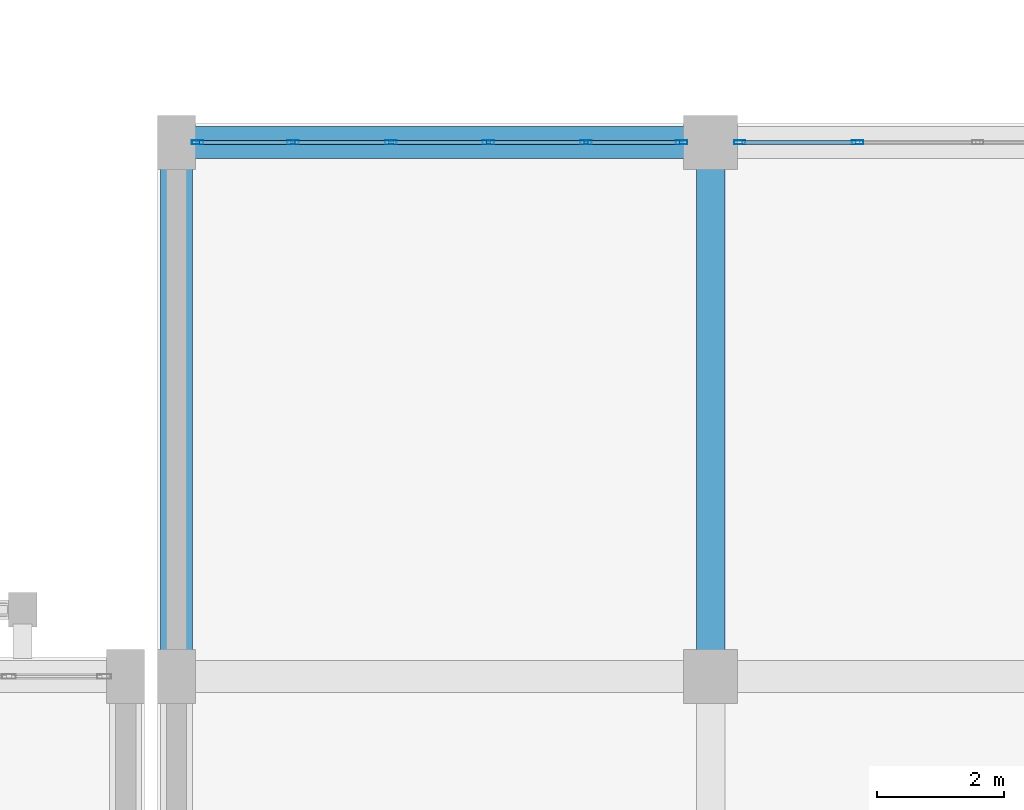
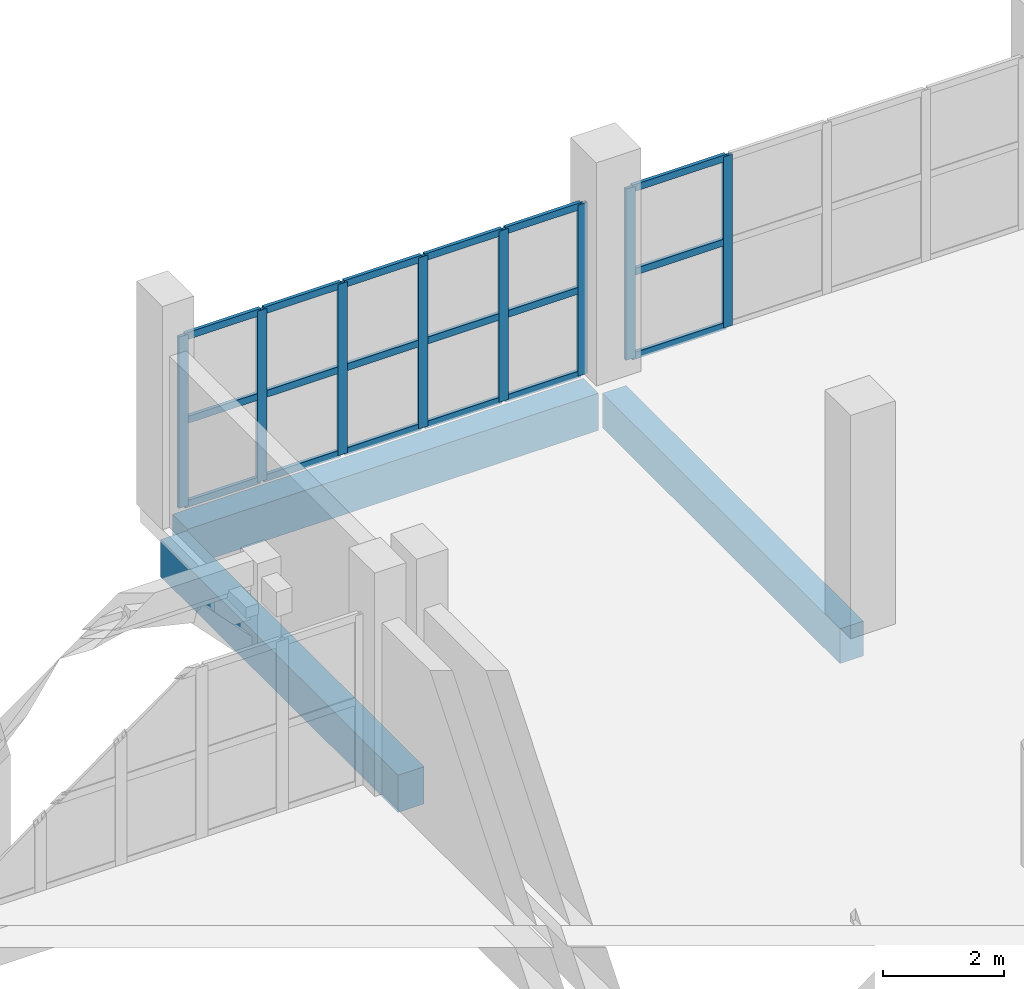
# One storey, part 67 of 137: 26 members, 3 beams, 2 elements without a shape of their own.
"""IFC4 building model written with IfcOpenShell, lengths in metres."""

from ifc_helpers import new_model, si_unit, direction, frame, origin, origin_2d, place, context, subcontext, project, spatial, rectangle, hollow_rectangle, extrude, material, layer, layer_set, material_profile, profile_set, type_object, element, aggregate, save


model = new_model("IFC4")

# Units and contexts
model_context = context("Model", 3, precision=1e-05, world=origin(), true_north=direction((0.0, 1.0)))
body_context = subcontext(model_context, "Body", "Model", "MODEL_VIEW")
ifc_project = project(units=[si_unit("LENGTHUNIT", "METRE"), si_unit("AREAUNIT", "SQUARE_METRE"), si_unit("VOLUMEUNIT", "CUBIC_METRE"), si_unit("PLANEANGLEUNIT", "RADIAN"), si_unit("MASSUNIT", "GRAM", prefix="KILO")], contexts=[model_context])

# Site, building, storey
site_placement = place(None, origin())
site = spatial("IfcSite", under=ifc_project, at=site_placement, CompositionType="ELEMENT")
building_placement = place(site_placement, origin())
building = spatial("IfcBuilding", under=site, at=building_placement, Name="Xazarin Passage Department Store", CompositionType="ELEMENT")
storey_placement = place(building_placement, frame((0.0, 0.0, 5.39990234375)))
storey = spatial("IfcBuildingStorey", under=building, at=storey_placement, Name="L01", CompositionType="ELEMENT", Elevation=5.39990234375)

# Curtain wall, members
ifc_material_1 = material(Name="Bronze anodised aluminium", Category="aluminium")
ifc_layer = layer(ifc_material_1, 0.169921875)
ifc_layer_set = layer_set([ifc_layer], Name="Bronze anodised aluminium")
curtain_wall_type = type_object("IfcCurtainWallType", Name="ARC-CW-ARC2", PredefinedType="NOTDEFINED", material=ifc_layer_set)
curtain_wall_1_placement = place(storey_placement, origin())
curtain_wall_1 = element("IfcCurtainWall", 1, at=curtain_wall_1_placement, inside=storey, type_object=curtain_wall_type, Name="L01 V2N Curtain Wall 110", PredefinedType="NOTDEFINED")
ifc_material_profile_1 = material_profile(ifc_material_1, hollow_rectangle(XDim=0.06494140625, YDim=0.179931640625, WallThickness=0.00390625, at=origin_2d()), Name="ALU 65x180")
ifc_profile_set_1 = profile_set([ifc_material_profile_1], Name="Bronze anodised aluminium")
member_type_1 = type_object("IfcMemberType", Name="ARC-CWM-65x180", PredefinedType="MULLION", material=ifc_profile_set_1)
member_1_placement = place(storey_placement, frame((68.33251953125, 93.199951171875, 0.0), z_axis=(0.0, 0.0, 1.0), x_axis=(0.0, 1.0, 0.0)))
member_1 = element("IfcMember", 2, at=member_1_placement, type_object=member_type_1, Name="CW4 mullion 1", PredefinedType="MULLION", context=body_context, shape_type="SweptSolid", body=[
    extrude(hollow_rectangle(XDim=0.06494140625, YDim=0.179931640625, WallThickness=0.00390625, at=origin_2d()), origin(), (0.0, 0.0, 1.0), 3.4501953125),
])
member_2_placement = place(storey_placement, frame((69.8349609375, 93.199951171875, 0.0), z_axis=(0.0, 0.0, 1.0), x_axis=(0.0, 1.0, 0.0)))
member_2 = element("IfcMember", 3, at=member_2_placement, type_object=member_type_1, Name="CW4 mullion 2", PredefinedType="MULLION", context=body_context, shape_type="SweptSolid", body=[
    extrude(hollow_rectangle(XDim=0.06494140625, YDim=0.179931640625, WallThickness=0.00390625, at=origin_2d()), origin(), (0.0, 0.0, 1.0), 3.4501953125),
])
member_3_placement = place(storey_placement, frame((71.3701171875, 93.199951171875, 0.0), z_axis=(0.0, 0.0, 1.0), x_axis=(0.0, 1.0, 0.0)))
member_3 = element("IfcMember", 4, at=member_3_placement, type_object=member_type_1, Name="CW4 mullion 3", PredefinedType="MULLION", context=body_context, shape_type="SweptSolid", body=[
    extrude(hollow_rectangle(XDim=0.06494140625, YDim=0.179931640625, WallThickness=0.00390625, at=origin_2d()), origin(), (0.0, 0.0, 1.0), 3.4501953125),
])
member_4_placement = place(storey_placement, frame((72.905029296875, 93.199951171875, 0.0), z_axis=(0.0, 0.0, 1.0), x_axis=(0.0, 1.0, 0.0)))
member_4 = element("IfcMember", 5, at=member_4_placement, type_object=member_type_1, Name="CW4 mullion 4", PredefinedType="MULLION", context=body_context, shape_type="SweptSolid", body=[
    extrude(hollow_rectangle(XDim=0.06494140625, YDim=0.179931640625, WallThickness=0.00390625, at=origin_2d()), origin(), (0.0, 0.0, 1.0), 3.4501953125),
])
member_5_placement = place(storey_placement, frame((74.43994140625, 93.199951171875, 0.0), z_axis=(0.0, 0.0, 1.0), x_axis=(0.0, 1.0, 0.0)))
member_5 = element("IfcMember", 6, at=member_5_placement, type_object=member_type_1, Name="CW4 mullion 5", PredefinedType="MULLION", context=body_context, shape_type="SweptSolid", body=[
    extrude(hollow_rectangle(XDim=0.06494140625, YDim=0.179931640625, WallThickness=0.00390625, at=origin_2d()), origin(), (0.0, 0.0, 1.0), 3.4501953125),
])
member_6_placement = place(storey_placement, frame((75.9423828125, 93.199951171875, 0.0), z_axis=(0.0, 0.0, 1.0), x_axis=(0.0, 1.0, 0.0)))
member_6 = element("IfcMember", 7, at=member_6_placement, type_object=member_type_1, Name="CW4 mullion 6", PredefinedType="MULLION", context=body_context, shape_type="SweptSolid", body=[
    extrude(hollow_rectangle(XDim=0.06494140625, YDim=0.179931640625, WallThickness=0.00390625, at=origin_2d()), origin(), (0.0, 0.0, 1.0), 3.4501953125),
])

curtain_wall_2_placement = place(storey_placement, origin())
curtain_wall_2 = element("IfcCurtainWall", 8, at=curtain_wall_2_placement, inside=storey, type_object=curtain_wall_type, Name="L01 V2N Curtain Wall 111", PredefinedType="NOTDEFINED")
member_7_placement = place(storey_placement, frame((76.857421875, 93.199951171875, 0.0), z_axis=(0.0, 0.0, 1.0), x_axis=(0.0, 1.0, 0.0)))
member_7 = element("IfcMember", 9, at=member_7_placement, type_object=member_type_1, Name="CW4 mullion 1", PredefinedType="MULLION", context=body_context, shape_type="SweptSolid", body=[
    extrude(hollow_rectangle(XDim=0.06494140625, YDim=0.179931640625, WallThickness=0.00390625, at=origin_2d()), origin(), (0.0, 0.0, 1.0), 3.4501953125),
])
member_8_placement = place(storey_placement, frame((78.71240234375, 93.199951171875, 0.0), z_axis=(0.0, 0.0, 1.0), x_axis=(0.0, 1.0, 0.0)))
member_8 = element("IfcMember", 10, at=member_8_placement, type_object=member_type_1, Name="CW4 mullion 2", PredefinedType="MULLION", context=body_context, shape_type="SweptSolid", body=[
    extrude(hollow_rectangle(XDim=0.06494140625, YDim=0.179931640625, WallThickness=0.00390625, at=origin_2d()), origin(), (0.0, 0.0, 1.0), 3.4501953125),
])

# Member
ifc_material_profile_2 = material_profile(ifc_material_1, hollow_rectangle(XDim=0.06494140625, YDim=0.139892578125, WallThickness=0.00390625, at=origin_2d()), Name="ALU 65x140")
ifc_profile_set_2 = profile_set([ifc_material_profile_2], Name="Bronze anodised aluminium")
member_type_2 = type_object("IfcMemberType", Name="ARC-CWT-65x140", PredefinedType="USERDEFINED", material=ifc_profile_set_2)
member_9_placement = place(storey_placement, frame((68.364990234375, 93.199951171875, 0.03271484375), z_axis=(1.0, 0.0, 0.0), x_axis=(0.0, 1.0, 0.0)))
member_9 = element("IfcMember", 11, at=member_9_placement, type_object=member_type_2, Name="CW4 transom 1.1", ObjectType="TRANSOM", PredefinedType="USERDEFINED", context=body_context, shape_type="SweptSolid", body=[
    extrude(hollow_rectangle(XDim=0.06494140625, YDim=0.139892578125, WallThickness=0.00390625, at=origin_2d()), origin(), (0.0, 0.0, 1.0), 1.4375),
])

member_10_placement = place(storey_placement, frame((68.364990234375, 93.199951171875, 1.72509765625), z_axis=(1.0, 0.0, 0.0), x_axis=(0.0, 1.0, 0.0)))
member_10 = element("IfcMember", 12, at=member_10_placement, type_object=member_type_2, Name="CW4 transom 1.2", ObjectType="TRANSOM", PredefinedType="USERDEFINED", context=body_context, shape_type="SweptSolid", body=[
    extrude(hollow_rectangle(XDim=0.06494140625, YDim=0.139892578125, WallThickness=0.00390625, at=origin_2d()), origin(), (0.0, 0.0, 1.0), 1.4375),
])

member_11_placement = place(storey_placement, frame((68.364990234375, 93.199951171875, 3.41748046875), z_axis=(1.0, 0.0, 0.0), x_axis=(0.0, 1.0, 0.0)))
member_11 = element("IfcMember", 13, at=member_11_placement, type_object=member_type_2, Name="CW4 transom 1.3", ObjectType="TRANSOM", PredefinedType="USERDEFINED", context=body_context, shape_type="SweptSolid", body=[
    extrude(hollow_rectangle(XDim=0.06494140625, YDim=0.139892578125, WallThickness=0.00390625, at=origin_2d()), origin(), (0.0, 0.0, 1.0), 1.4375),
])

member_12_placement = place(storey_placement, frame((69.867431640625, 93.199951171875, 0.03271484375), z_axis=(1.0, 0.0, 0.0), x_axis=(0.0, 1.0, 0.0)))
member_12 = element("IfcMember", 14, at=member_12_placement, type_object=member_type_2, Name="CW4 transom 2.1", ObjectType="TRANSOM", PredefinedType="USERDEFINED", context=body_context, shape_type="SweptSolid", body=[
    extrude(hollow_rectangle(XDim=0.06494140625, YDim=0.139892578125, WallThickness=0.00390625, at=origin_2d()), origin(), (0.0, 0.0, 1.0), 1.469970703125),
])

member_13_placement = place(storey_placement, frame((69.867431640625, 93.199951171875, 1.72509765625), z_axis=(1.0, 0.0, 0.0), x_axis=(0.0, 1.0, 0.0)))
member_13 = element("IfcMember", 15, at=member_13_placement, type_object=member_type_2, Name="CW4 transom 2.2", ObjectType="TRANSOM", PredefinedType="USERDEFINED", context=body_context, shape_type="SweptSolid", body=[
    extrude(hollow_rectangle(XDim=0.06494140625, YDim=0.139892578125, WallThickness=0.00390625, at=origin_2d()), origin(), (0.0, 0.0, 1.0), 1.469970703125),
])

member_14_placement = place(storey_placement, frame((69.867431640625, 93.199951171875, 3.41748046875), z_axis=(1.0, 0.0, 0.0), x_axis=(0.0, 1.0, 0.0)))
member_14 = element("IfcMember", 16, at=member_14_placement, type_object=member_type_2, Name="CW4 transom 2.3", ObjectType="TRANSOM", PredefinedType="USERDEFINED", context=body_context, shape_type="SweptSolid", body=[
    extrude(hollow_rectangle(XDim=0.06494140625, YDim=0.139892578125, WallThickness=0.00390625, at=origin_2d()), origin(), (0.0, 0.0, 1.0), 1.469970703125),
])

member_15_placement = place(storey_placement, frame((71.402587890625, 93.199951171875, 0.03271484375), z_axis=(1.0, 0.0, 0.0), x_axis=(0.0, 1.0, 0.0)))
member_15 = element("IfcMember", 17, at=member_15_placement, type_object=member_type_2, Name="CW4 transom 3.1", ObjectType="TRANSOM", PredefinedType="USERDEFINED", context=body_context, shape_type="SweptSolid", body=[
    extrude(hollow_rectangle(XDim=0.06494140625, YDim=0.139892578125, WallThickness=0.00390625, at=origin_2d()), origin(), (0.0, 0.0, 1.0), 1.469970703125),
])

member_16_placement = place(storey_placement, frame((71.402587890625, 93.199951171875, 1.72509765625), z_axis=(1.0, 0.0, 0.0), x_axis=(0.0, 1.0, 0.0)))
member_16 = element("IfcMember", 18, at=member_16_placement, type_object=member_type_2, Name="CW4 transom 3.2", ObjectType="TRANSOM", PredefinedType="USERDEFINED", context=body_context, shape_type="SweptSolid", body=[
    extrude(hollow_rectangle(XDim=0.06494140625, YDim=0.139892578125, WallThickness=0.00390625, at=origin_2d()), origin(), (0.0, 0.0, 1.0), 1.469970703125),
])

member_17_placement = place(storey_placement, frame((71.402587890625, 93.199951171875, 3.41748046875), z_axis=(1.0, 0.0, 0.0), x_axis=(0.0, 1.0, 0.0)))
member_17 = element("IfcMember", 19, at=member_17_placement, type_object=member_type_2, Name="CW4 transom 3.3", ObjectType="TRANSOM", PredefinedType="USERDEFINED", context=body_context, shape_type="SweptSolid", body=[
    extrude(hollow_rectangle(XDim=0.06494140625, YDim=0.139892578125, WallThickness=0.00390625, at=origin_2d()), origin(), (0.0, 0.0, 1.0), 1.469970703125),
])

member_18_placement = place(storey_placement, frame((72.9375, 93.199951171875, 0.03271484375), z_axis=(1.0, 0.0, 0.0), x_axis=(0.0, 1.0, 0.0)))
member_18 = element("IfcMember", 20, at=member_18_placement, type_object=member_type_2, Name="CW4 transom 4.1", ObjectType="TRANSOM", PredefinedType="USERDEFINED", context=body_context, shape_type="SweptSolid", body=[
    extrude(hollow_rectangle(XDim=0.06494140625, YDim=0.139892578125, WallThickness=0.00390625, at=origin_2d()), origin(), (0.0, 0.0, 1.0), 1.469970703125),
])

member_19_placement = place(storey_placement, frame((72.9375, 93.199951171875, 1.72509765625), z_axis=(1.0, 0.0, 0.0), x_axis=(0.0, 1.0, 0.0)))
member_19 = element("IfcMember", 21, at=member_19_placement, type_object=member_type_2, Name="CW4 transom 4.2", ObjectType="TRANSOM", PredefinedType="USERDEFINED", context=body_context, shape_type="SweptSolid", body=[
    extrude(hollow_rectangle(XDim=0.06494140625, YDim=0.139892578125, WallThickness=0.00390625, at=origin_2d()), origin(), (0.0, 0.0, 1.0), 1.469970703125),
])

member_20_placement = place(storey_placement, frame((72.9375, 93.199951171875, 3.41748046875), z_axis=(1.0, 0.0, 0.0), x_axis=(0.0, 1.0, 0.0)))
member_20 = element("IfcMember", 22, at=member_20_placement, type_object=member_type_2, Name="CW4 transom 4.3", ObjectType="TRANSOM", PredefinedType="USERDEFINED", context=body_context, shape_type="SweptSolid", body=[
    extrude(hollow_rectangle(XDim=0.06494140625, YDim=0.139892578125, WallThickness=0.00390625, at=origin_2d()), origin(), (0.0, 0.0, 1.0), 1.469970703125),
])

member_21_placement = place(storey_placement, frame((74.472412109375, 93.199951171875, 0.03271484375), z_axis=(1.0, 0.0, 0.0), x_axis=(0.0, 1.0, 0.0)))
member_21 = element("IfcMember", 23, at=member_21_placement, type_object=member_type_2, Name="CW4 transom 5.1", ObjectType="TRANSOM", PredefinedType="USERDEFINED", context=body_context, shape_type="SweptSolid", body=[
    extrude(hollow_rectangle(XDim=0.06494140625, YDim=0.139892578125, WallThickness=0.00390625, at=origin_2d()), origin(), (0.0, 0.0, 1.0), 1.4375),
])

member_22_placement = place(storey_placement, frame((74.472412109375, 93.199951171875, 1.72509765625), z_axis=(1.0, 0.0, 0.0), x_axis=(0.0, 1.0, 0.0)))
member_22 = element("IfcMember", 24, at=member_22_placement, type_object=member_type_2, Name="CW4 transom 5.2", ObjectType="TRANSOM", PredefinedType="USERDEFINED", context=body_context, shape_type="SweptSolid", body=[
    extrude(hollow_rectangle(XDim=0.06494140625, YDim=0.139892578125, WallThickness=0.00390625, at=origin_2d()), origin(), (0.0, 0.0, 1.0), 1.4375),
])

member_23_placement = place(storey_placement, frame((74.472412109375, 93.199951171875, 3.41748046875), z_axis=(1.0, 0.0, 0.0), x_axis=(0.0, 1.0, 0.0)))
member_23 = element("IfcMember", 25, at=member_23_placement, type_object=member_type_2, Name="CW4 transom 5.3", ObjectType="TRANSOM", PredefinedType="USERDEFINED", context=body_context, shape_type="SweptSolid", body=[
    extrude(hollow_rectangle(XDim=0.06494140625, YDim=0.139892578125, WallThickness=0.00390625, at=origin_2d()), origin(), (0.0, 0.0, 1.0), 1.4375),
])

aggregate(curtain_wall_1, [member_1, member_2, member_3, member_4, member_5, member_6, member_9, member_10, member_11, member_12, member_13, member_14, member_15, member_16, member_17, member_18, member_19, member_20, member_21, member_22, member_23])

member_24_placement = place(storey_placement, frame((76.889892578125, 93.199951171875, 0.03271484375), z_axis=(1.0, 0.0, 0.0), x_axis=(0.0, 1.0, 0.0)))
member_24 = element("IfcMember", 26, at=member_24_placement, type_object=member_type_2, Name="CW4 transom 1.1", ObjectType="TRANSOM", PredefinedType="USERDEFINED", context=body_context, shape_type="SweptSolid", body=[
    extrude(hollow_rectangle(XDim=0.06494140625, YDim=0.139892578125, WallThickness=0.00390625, at=origin_2d()), origin(), (0.0, 0.0, 1.0), 1.7900390625),
])

member_25_placement = place(storey_placement, frame((76.889892578125, 93.199951171875, 1.72509765625), z_axis=(1.0, 0.0, 0.0), x_axis=(0.0, 1.0, 0.0)))
member_25 = element("IfcMember", 27, at=member_25_placement, type_object=member_type_2, Name="CW4 transom 1.2", ObjectType="TRANSOM", PredefinedType="USERDEFINED", context=body_context, shape_type="SweptSolid", body=[
    extrude(hollow_rectangle(XDim=0.06494140625, YDim=0.139892578125, WallThickness=0.00390625, at=origin_2d()), origin(), (0.0, 0.0, 1.0), 1.7900390625),
])

member_26_placement = place(storey_placement, frame((76.889892578125, 93.199951171875, 3.41748046875), z_axis=(1.0, 0.0, 0.0), x_axis=(0.0, 1.0, 0.0)))
member_26 = element("IfcMember", 28, at=member_26_placement, type_object=member_type_2, Name="CW4 transom 1.3", ObjectType="TRANSOM", PredefinedType="USERDEFINED", context=body_context, shape_type="SweptSolid", body=[
    extrude(hollow_rectangle(XDim=0.06494140625, YDim=0.139892578125, WallThickness=0.00390625, at=origin_2d()), origin(), (0.0, 0.0, 1.0), 1.7900390625),
])

aggregate(curtain_wall_2, [member_7, member_8, member_24, member_25, member_26])

# Beams
ifc_material_2 = material(Name="Concrete C35/45", Category="concrete")
ifc_material_profile_3 = material_profile(ifc_material_2, rectangle(XDim=0.449951171875, YDim=0.699951171875, at=origin_2d()), Name="RC 450x700")
ifc_profile_set_3 = profile_set([ifc_material_profile_3], Name="Concrete C35/45")
beam_type_1 = type_object("IfcBeamType", Name="STR-BM-G450x700", PredefinedType="BEAM", material=ifc_profile_set_3)
beam_1_placement = place(storey_placement, frame((76.39990234375, 85.080078125, -0.64990234375), z_axis=(0.0, 1.0, 0.0), x_axis=(-1.0, 0.0, 0.0)))
element("IfcBeam", 29, at=beam_1_placement, inside=storey, type_object=beam_type_1, Name="L01 Grid Beam 11/M-N", PredefinedType="BEAM", context=body_context, shape_type="SweptSolid", body=[
    extrude(rectangle(XDim=0.449951171875, YDim=0.699951171875, at=origin_2d()), origin(), (0.0, 0.0, 1.0), 7.83984375),
])
ifc_material_profile_4 = material_profile(ifc_material_2, rectangle(XDim=0.5, YDim=0.75, at=origin_2d()), Name="RC 500x750")
ifc_profile_set_4 = profile_set([ifc_material_profile_4], Name="Concrete C35/45")
beam_type_2 = type_object("IfcBeamType", Name="STR-BM-SP500x750", PredefinedType="SPANDREL", material=ifc_profile_set_4)
beam_2_placement = place(storey_placement, frame((68.280029296875, 93.199951171875, -0.6748046875), z_axis=(1.0, 0.0, 0.0), x_axis=(0.0, 1.0, 0.0)))
element("IfcBeam", 30, at=beam_2_placement, inside=storey, type_object=beam_type_2, Name="L01 Grid Beam N/10-11", PredefinedType="SPANDREL", context=body_context, shape_type="SweptSolid", body=[
    extrude(rectangle(XDim=0.5, YDim=0.75, at=origin_2d()), origin(), (0.0, 0.0, 1.0), 7.840087890625),
])
beam_3_placement = place(storey_placement, frame((68.0, 85.080078125, -0.6748046875), z_axis=(0.0, 1.0, 0.0), x_axis=(-1.0, 0.0, 0.0)))
element("IfcBeam", 31, at=beam_3_placement, inside=storey, type_object=beam_type_2, Name="L01 Grid Beam 10/M-N", PredefinedType="SPANDREL", context=body_context, shape_type="SweptSolid", body=[
    extrude(rectangle(XDim=0.5, YDim=0.75, at=origin_2d()), origin(), (0.0, 0.0, 1.0), 7.83984375),
])

save(model, "model.ifc")
